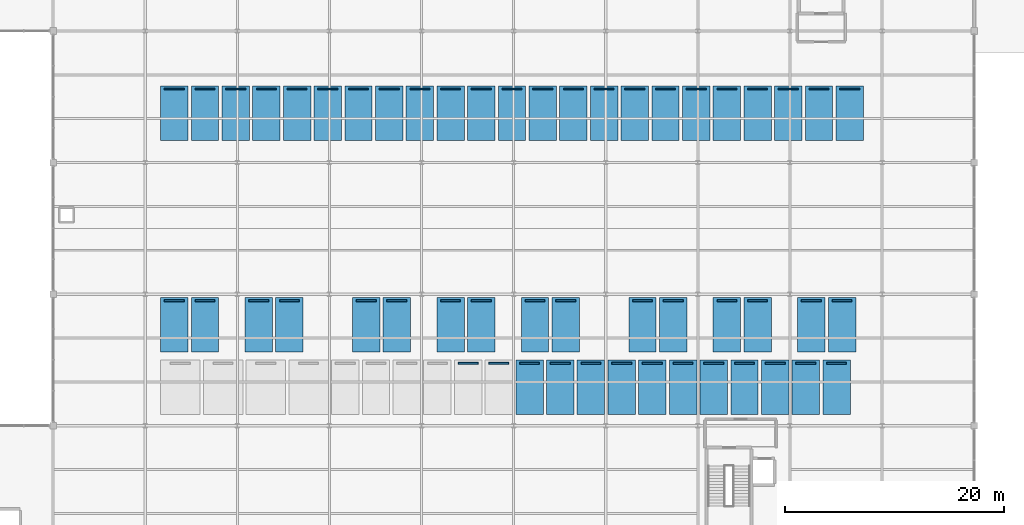
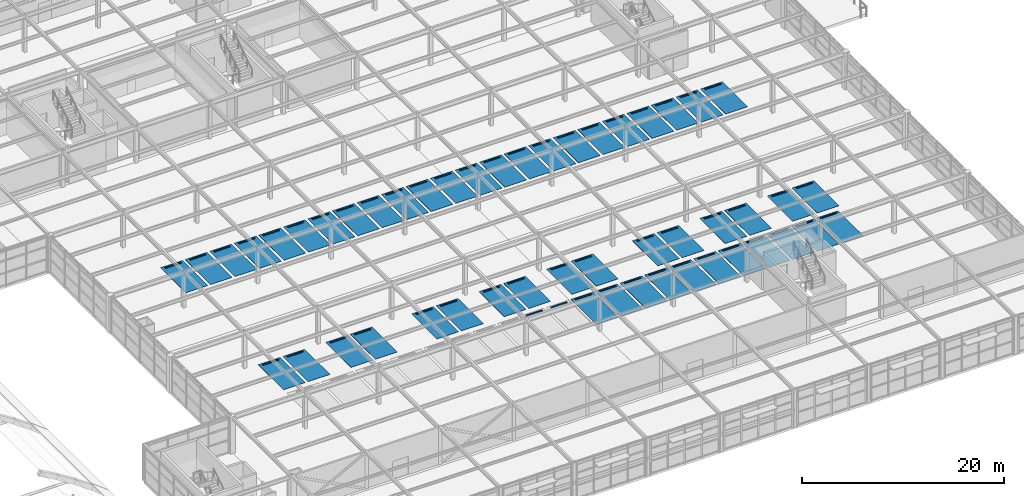
# One storey, part 70 of 82: 102 discrete accessories.
"""IFC4 building model written with IfcOpenShell, lengths in metres."""

from ifc_helpers import new_model, si_unit, direction, frame, origin, origin_2d, place, context, subcontext, project, spatial, rectangle, extrude, material, type_object, element, save


model = new_model("IFC4")

# Units and contexts
model_context = context("Model", 3, precision=1e-05, world=origin(), true_north=direction((0.0, 1.0)))
body_context = subcontext(model_context, "Body", "Model", "MODEL_VIEW")
ifc_project = project(units=[si_unit("LENGTHUNIT", "METRE"), si_unit("AREAUNIT", "SQUARE_METRE"), si_unit("VOLUMEUNIT", "CUBIC_METRE"), si_unit("PLANEANGLEUNIT", "RADIAN"), si_unit("MASSUNIT", "GRAM", prefix="KILO")], contexts=[model_context])

# Site, building, storey
site_placement = place(None, origin())
site = spatial("IfcSite", under=ifc_project, at=site_placement, CompositionType="ELEMENT")
building_placement = place(site_placement, origin())
building = spatial("IfcBuilding", under=site, at=building_placement, Name="Sitalva Quay Ferry Terminal", CompositionType="ELEMENT")
storey_placement = place(building_placement, frame((0.0, 0.0, 5.39990234375)))
storey = spatial("IfcBuildingStorey", under=building, at=storey_placement, Name="L02", CompositionType="ELEMENT", Elevation=5.39990234375)

# Discrete accessories
ifc_material_1 = material(Name="Thermoplastic Deck Marking", Category="polymer")
discrete_accessory_type_1 = type_object("IfcDiscreteAccessoryType", Name="ParkingBay_Standard_2500x5000", PredefinedType="USERDEFINED", material=ifc_material_1)
for number, where, z_axis, x_axis, name in (
    (1, (127.449951171875, 33.5, 0.0), (0.0, 0.0, 1.0), (1.0, 0.0, 0.0), "Standard vehicle stall PKS-063"),
    (2, (130.25, 33.5, 0.0), (0.0, 0.0, 1.0), (1.0, 0.0, 0.0), "Standard vehicle stall PKS-064"),
    (3, (133.050048828125, 33.5, 0.0), (0.0, 0.0, 1.0), (1.0, 0.0, 0.0), "Standard vehicle stall PKS-065"),
    (4, (135.85009765625, 33.5, 0.0), (0.0, 0.0, 1.0), (1.0, 0.0, 0.0), "Standard vehicle stall PKS-066"),
    (5, (138.64990234375, 33.5, 0.0), (0.0, 0.0, 1.0), (1.0, 0.0, 0.0), "Standard vehicle stall PKS-067"),
    (6, (141.449951171875, 33.5, 0.0), (0.0, 0.0, 1.0), (1.0, 0.0, 0.0), "Standard vehicle stall PKS-068"),
    (7, (144.25, 33.5, 0.0), (0.0, 0.0, 1.0), (1.0, 0.0, 0.0), "Standard vehicle stall PKS-069"),
    (8, (147.050048828125, 33.5, 0.0), (0.0, 0.0, 1.0), (1.0, 0.0, 0.0), "Standard vehicle stall PKS-070"),
    (9, (149.85009765625, 33.5, 0.0), (0.0, 0.0, 1.0), (1.0, 0.0, 0.0), "Standard vehicle stall PKS-071"),
    (10, (152.64990234375, 33.5, 0.0), (0.0, 0.0, 1.0), (1.0, 0.0, 0.0), "Standard vehicle stall PKS-072"),
    (11, (155.449951171875, 33.5, 0.0), (0.0, 0.0, 1.0), (1.0, 0.0, 0.0), "Standard vehicle stall PKS-073"),
    (12, (95.050048828125, 39.199951171875, 0.0), (0.0, 0.0, 1.0), (1.0, 0.0, 0.0), "Standard vehicle stall PKS-074"),
    (13, (97.85009765625, 39.199951171875, 0.0), (0.0, 0.0, 1.0), (1.0, 0.0, 0.0), "Standard vehicle stall PKS-075"),
    (14, (102.75, 39.199951171875, 0.0), (0.0, 0.0, 1.0), (1.0, 0.0, 0.0), "Standard vehicle stall PKS-076"),
    (15, (105.550048828125, 39.199951171875, 0.0), (0.0, 0.0, 1.0), (1.0, 0.0, 0.0), "Standard vehicle stall PKS-077"),
    (16, (112.550048828125, 39.199951171875, 0.0), (0.0, 0.0, 1.0), (1.0, 0.0, 0.0), "Standard vehicle stall PKS-078"),
    (17, (115.35009765625, 39.199951171875, 0.0), (0.0, 0.0, 1.0), (1.0, 0.0, 0.0), "Standard vehicle stall PKS-079"),
    (18, (120.25, 39.199951171875, 0.0), (0.0, 0.0, 1.0), (1.0, 0.0, 0.0), "Standard vehicle stall PKS-080"),
    (19, (123.050048828125, 39.199951171875, 0.0), (0.0, 0.0, 1.0), (1.0, 0.0, 0.0), "Standard vehicle stall PKS-081"),
    (20, (127.949951171875, 39.199951171875, 0.0), (0.0, 0.0, 1.0), (1.0, 0.0, 0.0), "Standard vehicle stall PKS-082"),
    (21, (130.75, 39.199951171875, 0.0), (0.0, 0.0, 1.0), (1.0, 0.0, 0.0), "Standard vehicle stall PKS-083"),
    (22, (137.75, 39.199951171875, 0.0), (0.0, 0.0, 1.0), (1.0, 0.0, 0.0), "Standard vehicle stall PKS-084"),
    (23, (140.550048828125, 39.199951171875, 0.0), (0.0, 0.0, 1.0), (1.0, 0.0, 0.0), "Standard vehicle stall PKS-085"),
    (24, (145.449951171875, 39.199951171875, 0.0), (0.0, 0.0, 1.0), (1.0, 0.0, 0.0), "Standard vehicle stall PKS-086"),
    (25, (148.25, 39.199951171875, 0.0), (0.0, 0.0, 1.0), (1.0, 0.0, 0.0), "Standard vehicle stall PKS-087"),
    (26, (153.14990234375, 39.199951171875, 0.0), (0.0, 0.0, 1.0), (1.0, 0.0, 0.0), "Standard vehicle stall PKS-088"),
    (27, (155.949951171875, 39.199951171875, 0.0), (0.0, 0.0, 1.0), (1.0, 0.0, 0.0), "Standard vehicle stall PKS-089"),
    (28, (95.050048828125, 58.5, 0.0), (0.0, 0.0, 1.0), (1.0, 0.0, 0.0), "Standard vehicle stall PKS-090"),
    (29, (97.85009765625, 58.5, 0.0), (0.0, 0.0, 1.0), (1.0, 0.0, 0.0), "Standard vehicle stall PKS-091"),
    (30, (100.64990234375, 58.5, 0.0), (0.0, 0.0, 1.0), (1.0, 0.0, 0.0), "Standard vehicle stall PKS-092"),
    (31, (103.449951171875, 58.5, 0.0), (0.0, 0.0, 1.0), (1.0, 0.0, 0.0), "Standard vehicle stall PKS-093"),
    (32, (106.25, 58.5, 0.0), (0.0, 0.0, 1.0), (1.0, 0.0, 0.0), "Standard vehicle stall PKS-094"),
    (33, (109.050048828125, 58.5, 0.0), (0.0, 0.0, 1.0), (1.0, 0.0, 0.0), "Standard vehicle stall PKS-095"),
    (34, (111.85009765625, 58.5, 0.0), (0.0, 0.0, 1.0), (1.0, 0.0, 0.0), "Standard vehicle stall PKS-096"),
    (35, (114.64990234375, 58.5, 0.0), (0.0, 0.0, 1.0), (1.0, 0.0, 0.0), "Standard vehicle stall PKS-097"),
    (36, (117.449951171875, 58.5, 0.0), (0.0, 0.0, 1.0), (1.0, 0.0, 0.0), "Standard vehicle stall PKS-098"),
    (37, (120.25, 58.5, 0.0), (0.0, 0.0, 1.0), (1.0, 0.0, 0.0), "Standard vehicle stall PKS-099"),
    (38, (123.050048828125, 58.5, 0.0), (0.0, 0.0, 1.0), (1.0, 0.0, 0.0), "Standard vehicle stall PKS-100"),
    (39, (125.85009765625, 58.5, 0.0), (0.0, 0.0, 1.0), (1.0, 0.0, 0.0), "Standard vehicle stall PKS-101"),
    (40, (128.64990234375, 58.5, 0.0), (0.0, 0.0, 1.0), (1.0, 0.0, 0.0), "Standard vehicle stall PKS-102"),
    (41, (131.449951171875, 58.5, 0.0), (0.0, 0.0, 1.0), (1.0, 0.0, 0.0), "Standard vehicle stall PKS-103"),
    (42, (134.25, 58.5, 0.0), (0.0, 0.0, 1.0), (1.0, 0.0, 0.0), "Standard vehicle stall PKS-104"),
    (43, (137.050048828125, 58.5, 0.0), (0.0, 0.0, 1.0), (1.0, 0.0, 0.0), "Standard vehicle stall PKS-105"),
    (44, (139.85009765625, 58.5, 0.0), (0.0, 0.0, 1.0), (1.0, 0.0, 0.0), "Standard vehicle stall PKS-106"),
    (45, (142.64990234375, 58.5, 0.0), (0.0, 0.0, 1.0), (1.0, 0.0, 0.0), "Standard vehicle stall PKS-107"),
    (46, (145.449951171875, 58.5, 0.0), (0.0, 0.0, 1.0), (1.0, 0.0, 0.0), "Standard vehicle stall PKS-108"),
    (47, (148.25, 58.5, 0.0), (0.0, 0.0, 1.0), (1.0, 0.0, 0.0), "Standard vehicle stall PKS-109"),
    (48, (151.050048828125, 58.5, 0.0), (0.0, 0.0, 1.0), (1.0, 0.0, 0.0), "Standard vehicle stall PKS-110"),
    (49, (153.85009765625, 58.5, 0.0), (0.0, 0.0, 1.0), (1.0, 0.0, 0.0), "Standard vehicle stall PKS-111"),
    (50, (156.64990234375, 58.5, 0.0), (0.0, 0.0, 1.0), (1.0, 0.0, 0.0), "Standard vehicle stall PKS-112"),
):
    element("IfcDiscreteAccessory", number, at=place(storey_placement, frame(where, z_axis=z_axis, x_axis=x_axis)), inside=storey, type_object=discrete_accessory_type_1, Name=name, ObjectType="PARKING_BAY", PredefinedType="USERDEFINED", context=body_context, shape_type="SweptSolid", body=[
        extrude(rectangle(XDim=2.5, YDim=5.0, at=origin_2d()), origin(), (0.0, 0.0, 1.0), 0.02001953125),
    ])
ifc_material_2 = material(Name="Precast Concrete C35/45", Category="concrete")
discrete_accessory_type_2 = type_object("IfcDiscreteAccessoryType", Name="WheelStop_1800x150x100", PredefinedType="USERDEFINED", material=ifc_material_2)
for number, where, z_axis, x_axis, name in (
    (51, (121.85009765625, 35.699951171875, 0.0), (0.0, 0.0, 1.0), (1.0, 0.0, 0.0), "Precast wheel stop WS-069"),
    (52, (124.64990234375, 35.699951171875, 0.0), (0.0, 0.0, 1.0), (1.0, 0.0, 0.0), "Precast wheel stop WS-070"),
    (53, (127.449951171875, 35.699951171875, 0.0), (0.0, 0.0, 1.0), (1.0, 0.0, 0.0), "Precast wheel stop WS-071"),
    (54, (130.25, 35.699951171875, 0.0), (0.0, 0.0, 1.0), (1.0, 0.0, 0.0), "Precast wheel stop WS-072"),
    (55, (133.050048828125, 35.699951171875, 0.0), (0.0, 0.0, 1.0), (1.0, 0.0, 0.0), "Precast wheel stop WS-073"),
    (56, (135.85009765625, 35.699951171875, 0.0), (0.0, 0.0, 1.0), (1.0, 0.0, 0.0), "Precast wheel stop WS-074"),
    (57, (138.64990234375, 35.699951171875, 0.0), (0.0, 0.0, 1.0), (1.0, 0.0, 0.0), "Precast wheel stop WS-075"),
    (58, (141.449951171875, 35.699951171875, 0.0), (0.0, 0.0, 1.0), (1.0, 0.0, 0.0), "Precast wheel stop WS-076"),
    (59, (144.25, 35.699951171875, 0.0), (0.0, 0.0, 1.0), (1.0, 0.0, 0.0), "Precast wheel stop WS-077"),
    (60, (147.050048828125, 35.699951171875, 0.0), (0.0, 0.0, 1.0), (1.0, 0.0, 0.0), "Precast wheel stop WS-078"),
    (61, (149.85009765625, 35.699951171875, 0.0), (0.0, 0.0, 1.0), (1.0, 0.0, 0.0), "Precast wheel stop WS-079"),
    (62, (152.64990234375, 35.699951171875, 0.0), (0.0, 0.0, 1.0), (1.0, 0.0, 0.0), "Precast wheel stop WS-080"),
    (63, (155.449951171875, 35.699951171875, 0.0), (0.0, 0.0, 1.0), (1.0, 0.0, 0.0), "Precast wheel stop WS-081"),
    (64, (95.050048828125, 41.39990234375, 0.0), (0.0, 0.0, 1.0), (1.0, 0.0, 0.0), "Precast wheel stop WS-082"),
    (65, (97.85009765625, 41.39990234375, 0.0), (0.0, 0.0, 1.0), (1.0, 0.0, 0.0), "Precast wheel stop WS-083"),
    (66, (102.75, 41.39990234375, 0.0), (0.0, 0.0, 1.0), (1.0, 0.0, 0.0), "Precast wheel stop WS-084"),
    (67, (105.550048828125, 41.39990234375, 0.0), (0.0, 0.0, 1.0), (1.0, 0.0, 0.0), "Precast wheel stop WS-085"),
    (68, (112.550048828125, 41.39990234375, 0.0), (0.0, 0.0, 1.0), (1.0, 0.0, 0.0), "Precast wheel stop WS-086"),
    (69, (115.35009765625, 41.39990234375, 0.0), (0.0, 0.0, 1.0), (1.0, 0.0, 0.0), "Precast wheel stop WS-087"),
    (70, (120.25, 41.39990234375, 0.0), (0.0, 0.0, 1.0), (1.0, 0.0, 0.0), "Precast wheel stop WS-088"),
    (71, (123.050048828125, 41.39990234375, 0.0), (0.0, 0.0, 1.0), (1.0, 0.0, 0.0), "Precast wheel stop WS-089"),
    (72, (127.949951171875, 41.39990234375, 0.0), (0.0, 0.0, 1.0), (1.0, 0.0, 0.0), "Precast wheel stop WS-090"),
    (73, (130.75, 41.39990234375, 0.0), (0.0, 0.0, 1.0), (1.0, 0.0, 0.0), "Precast wheel stop WS-091"),
    (74, (137.75, 41.39990234375, 0.0), (0.0, 0.0, 1.0), (1.0, 0.0, 0.0), "Precast wheel stop WS-092"),
    (75, (140.550048828125, 41.39990234375, 0.0), (0.0, 0.0, 1.0), (1.0, 0.0, 0.0), "Precast wheel stop WS-093"),
    (76, (145.449951171875, 41.39990234375, 0.0), (0.0, 0.0, 1.0), (1.0, 0.0, 0.0), "Precast wheel stop WS-094"),
    (77, (148.25, 41.39990234375, 0.0), (0.0, 0.0, 1.0), (1.0, 0.0, 0.0), "Precast wheel stop WS-095"),
    (78, (153.14990234375, 41.39990234375, 0.0), (0.0, 0.0, 1.0), (1.0, 0.0, 0.0), "Precast wheel stop WS-096"),
    (79, (155.949951171875, 41.39990234375, 0.0), (0.0, 0.0, 1.0), (1.0, 0.0, 0.0), "Precast wheel stop WS-097"),
    (80, (95.050048828125, 60.699951171875, 0.0), (0.0, 0.0, 1.0), (1.0, 0.0, 0.0), "Precast wheel stop WS-098"),
    (81, (97.85009765625, 60.699951171875, 0.0), (0.0, 0.0, 1.0), (1.0, 0.0, 0.0), "Precast wheel stop WS-099"),
    (82, (100.64990234375, 60.699951171875, 0.0), (0.0, 0.0, 1.0), (1.0, 0.0, 0.0), "Precast wheel stop WS-100"),
    (83, (103.449951171875, 60.699951171875, 0.0), (0.0, 0.0, 1.0), (1.0, 0.0, 0.0), "Precast wheel stop WS-101"),
    (84, (106.25, 60.699951171875, 0.0), (0.0, 0.0, 1.0), (1.0, 0.0, 0.0), "Precast wheel stop WS-102"),
    (85, (109.050048828125, 60.699951171875, 0.0), (0.0, 0.0, 1.0), (1.0, 0.0, 0.0), "Precast wheel stop WS-103"),
    (86, (111.85009765625, 60.699951171875, 0.0), (0.0, 0.0, 1.0), (1.0, 0.0, 0.0), "Precast wheel stop WS-104"),
    (87, (114.64990234375, 60.699951171875, 0.0), (0.0, 0.0, 1.0), (1.0, 0.0, 0.0), "Precast wheel stop WS-105"),
    (88, (117.449951171875, 60.699951171875, 0.0), (0.0, 0.0, 1.0), (1.0, 0.0, 0.0), "Precast wheel stop WS-106"),
    (89, (120.25, 60.699951171875, 0.0), (0.0, 0.0, 1.0), (1.0, 0.0, 0.0), "Precast wheel stop WS-107"),
    (90, (123.050048828125, 60.699951171875, 0.0), (0.0, 0.0, 1.0), (1.0, 0.0, 0.0), "Precast wheel stop WS-108"),
    (91, (125.85009765625, 60.699951171875, 0.0), (0.0, 0.0, 1.0), (1.0, 0.0, 0.0), "Precast wheel stop WS-109"),
    (92, (128.64990234375, 60.699951171875, 0.0), (0.0, 0.0, 1.0), (1.0, 0.0, 0.0), "Precast wheel stop WS-110"),
    (93, (131.449951171875, 60.699951171875, 0.0), (0.0, 0.0, 1.0), (1.0, 0.0, 0.0), "Precast wheel stop WS-111"),
    (94, (134.25, 60.699951171875, 0.0), (0.0, 0.0, 1.0), (1.0, 0.0, 0.0), "Precast wheel stop WS-112"),
    (95, (137.050048828125, 60.699951171875, 0.0), (0.0, 0.0, 1.0), (1.0, 0.0, 0.0), "Precast wheel stop WS-113"),
    (96, (139.85009765625, 60.699951171875, 0.0), (0.0, 0.0, 1.0), (1.0, 0.0, 0.0), "Precast wheel stop WS-114"),
    (97, (142.64990234375, 60.699951171875, 0.0), (0.0, 0.0, 1.0), (1.0, 0.0, 0.0), "Precast wheel stop WS-115"),
    (98, (145.449951171875, 60.699951171875, 0.0), (0.0, 0.0, 1.0), (1.0, 0.0, 0.0), "Precast wheel stop WS-116"),
    (99, (148.25, 60.699951171875, 0.0), (0.0, 0.0, 1.0), (1.0, 0.0, 0.0), "Precast wheel stop WS-117"),
    (100, (151.050048828125, 60.699951171875, 0.0), (0.0, 0.0, 1.0), (1.0, 0.0, 0.0), "Precast wheel stop WS-118"),
    (101, (153.85009765625, 60.699951171875, 0.0), (0.0, 0.0, 1.0), (1.0, 0.0, 0.0), "Precast wheel stop WS-119"),
    (102, (156.64990234375, 60.699951171875, 0.0), (0.0, 0.0, 1.0), (1.0, 0.0, 0.0), "Precast wheel stop WS-120"),
):
    element("IfcDiscreteAccessory", number, at=place(storey_placement, frame(where, z_axis=z_axis, x_axis=x_axis)), inside=storey, type_object=discrete_accessory_type_2, Name=name, ObjectType="WHEEL_STOP", PredefinedType="USERDEFINED", context=body_context, shape_type="SweptSolid", body=[
        extrude(rectangle(XDim=1.800048828125, YDim=0.14990234375, at=origin_2d()), origin(), (0.0, 0.0, 1.0), 0.10009765625),
    ])

save(model, "model.ifc")
